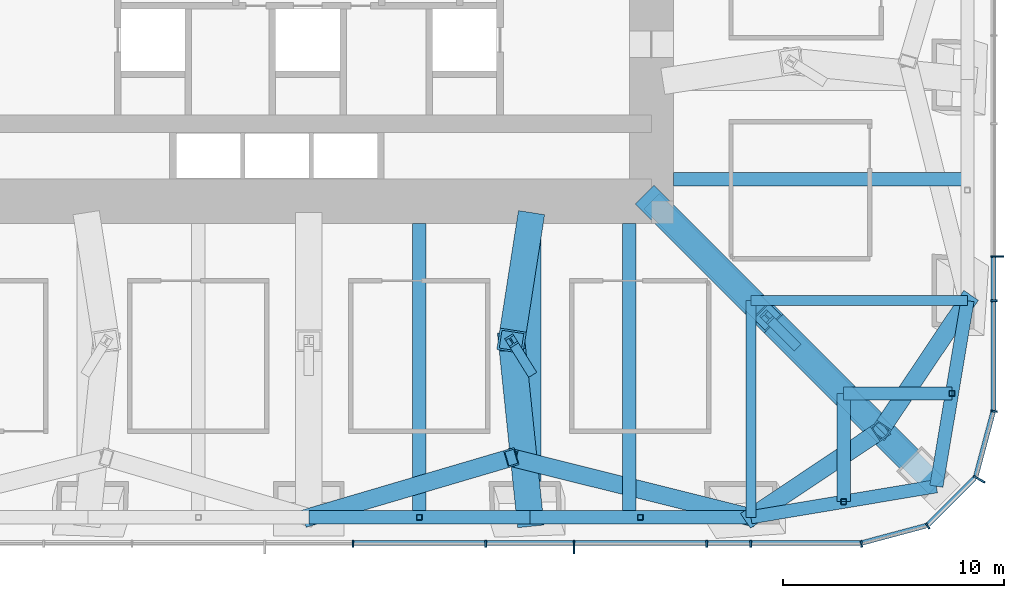
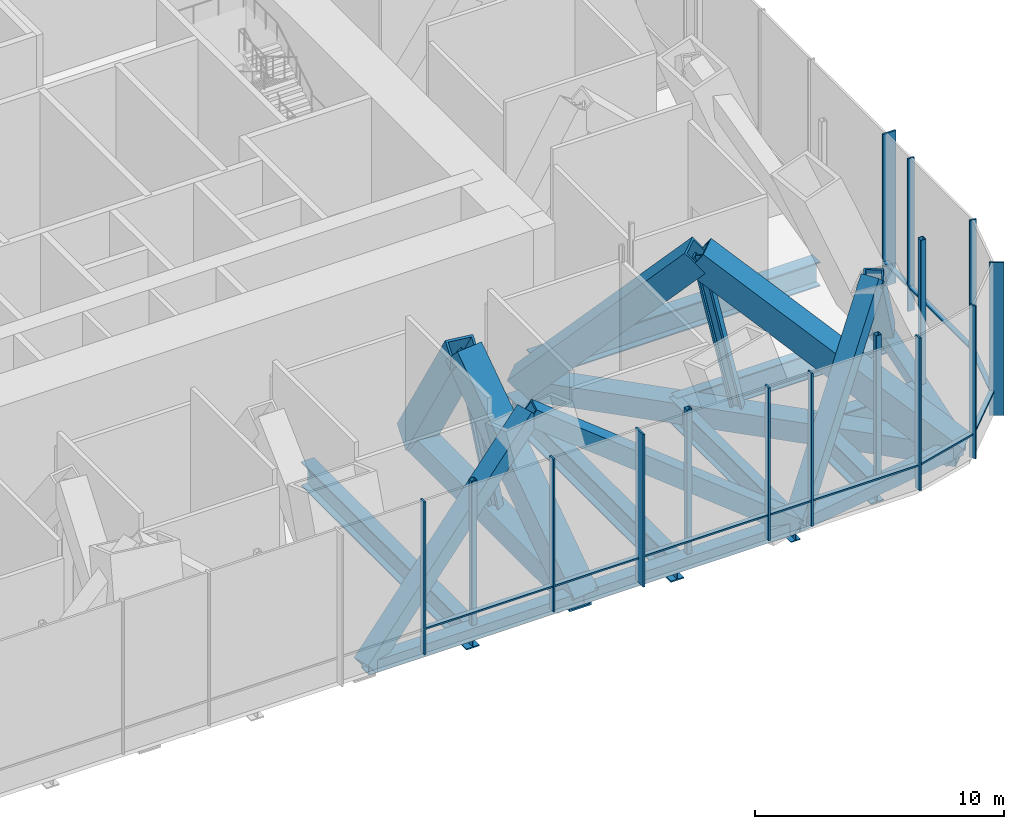
# One storey, part 4 of 20: 41 members, 7 beams, 3 elements without a shape of their own.
"""IFC4 building model written with IfcOpenShell, lengths in metres."""

from ifc_helpers import new_model, si_unit, direction, frame, origin, origin_2d, place, context, subcontext, project, spatial, rectangle, hollow_rectangle, i_section, extrude, material, material_profile, profile_set, type_object, element, aggregate, save


model = new_model("IFC4")

# Units and contexts
model_context = context("Model", 3, precision=1e-05, world=origin(), true_north=direction((0.0, 1.0)))
body_context = subcontext(model_context, "Body", "Model", "MODEL_VIEW")
ifc_project = project(units=[si_unit("LENGTHUNIT", "METRE"), si_unit("AREAUNIT", "SQUARE_METRE"), si_unit("VOLUMEUNIT", "CUBIC_METRE"), si_unit("PLANEANGLEUNIT", "RADIAN"), si_unit("MASSUNIT", "GRAM", prefix="KILO")], contexts=[model_context])

# Site, building, storey
site_placement = place(None, origin())
site = spatial("IfcSite", under=ifc_project, at=site_placement, CompositionType="ELEMENT")
building_placement = place(site_placement, origin())
building = spatial("IfcBuilding", under=site, at=building_placement, Name="Khuree Lantern Residences", CompositionType="ELEMENT")
storey_placement = place(building_placement, frame((0.0, 0.0, 99.75)))
storey = spatial("IfcBuildingStorey", under=building, at=storey_placement, Name="L25", CompositionType="ELEMENT", Elevation=99.75)

# Beams
ifc_material_1 = material(Name="Steel S355", Category="steel")
ifc_material_profile_1 = material_profile(ifc_material_1, i_section(OverallWidth=0.60009765625, OverallDepth=1.199951171875, WebThickness=0.030029296875, FlangeThickness=0.06005859375, at=origin_2d()), Name="WELDED I 1200X600X30X60")
ifc_profile_set_1 = profile_set([ifc_material_profile_1], Name="Steel S355")
beam_type_1 = type_object("IfcBeamType", Name="B-25 SECONDARY BEAM WELDED I 1200X600X30X60", PredefinedType="BEAM", material=ifc_profile_set_1)
beam_placement = place(storey_placement, frame((29.800048828125, -14.5, -0.949951171875), z_axis=(-1.0, 0.0, 0.0), x_axis=(0.0, -1.0, 0.0)))
element("IfcBeam", 1, at=beam_placement, inside=storey, type_object=beam_type_1, Name="Secondary beam E5", PredefinedType="BEAM", context=body_context, shape_type="SweptSolid", body=[
    extrude(i_section(OverallWidth=0.60009765625, OverallDepth=1.199951171875, WebThickness=0.030029296875, FlangeThickness=0.06005859375, at=origin_2d()), origin(), (0.0, 0.0, 1.0), 13.300048828125),
])
for number, where, z_axis, x_axis, name in (
    (2, (29.09716796875, -24.197021484375, -0.949951171875), (-1.0, 0.0, 0.0), (0.0, -1.0, 0.0), "Secondary beam E6"),
    (3, (24.197021484375, -29.09716796875, -0.949951171875), (0.0, 1.0, 0.0), (-1.0, 0.0, 0.0), "Secondary beam S1"),
):
    element("IfcBeam", number, at=place(storey_placement, frame(where, z_axis=z_axis, x_axis=x_axis)), inside=storey, type_object=beam_type_1, Name=name, PredefinedType="BEAM", context=body_context, shape_type="SweptSolid", body=[
        extrude(i_section(OverallWidth=0.60009765625, OverallDepth=1.199951171875, WebThickness=0.030029296875, FlangeThickness=0.06005859375, at=origin_2d()), origin(), (0.0, 0.0, 1.0), 4.900146484375),
    ])
for number, where, z_axis, x_axis, name in (
    (4, (14.5, -29.800048828125, -0.949951171875), (0.0, 1.0, 0.0), (-1.0, 0.0, 0.0), "Secondary beam S2"),
    (5, (5.0, -29.800048828125, -0.949951171875), (0.0, 1.0, 0.0), (-1.0, 0.0, 0.0), "Secondary beam S3"),
):
    element("IfcBeam", number, at=place(storey_placement, frame(where, z_axis=z_axis, x_axis=x_axis)), inside=storey, type_object=beam_type_1, Name=name, PredefinedType="BEAM", context=body_context, shape_type="SweptSolid", body=[
        extrude(i_section(OverallWidth=0.60009765625, OverallDepth=1.199951171875, WebThickness=0.030029296875, FlangeThickness=0.06005859375, at=origin_2d()), origin(), (0.0, 0.0, 1.0), 13.300048828125),
    ])

# Members
ifc_material_profile_2 = material_profile(ifc_material_1, hollow_rectangle(XDim=0.800048828125, YDim=0.800048828125, WallThickness=0.070068359375, at=origin_2d()), Name="WELDED BOX 800X800X70")
ifc_profile_set_2 = profile_set([ifc_material_profile_2], Name="Steel S355")
member_type_1 = type_object("IfcMemberType", Name="BD-25 BELT TRUSS DIAGONAL WELDED BOX 800X800X70", PredefinedType="BRACE", material=ifc_profile_set_2)
for number, where, z_axis, x_axis, name in (
    (6, (29.800048828125, -20.0, -0.64990234375), (-0.378778977196, -0.565721390777, 0.732451905897), (0.830942698476, -0.556358006907, 0.0), "Belt truss diagonal E6"),
    (7, (25.869873046875, -25.869873046875, 6.949951171875), (-0.565721390777, -0.378778977196, -0.732451905897), (0.556358006907, -0.830942698476, 0.0), "Belt truss diagonal S1"),
):
    element("IfcMember", number, at=place(storey_placement, frame(where, z_axis=z_axis, x_axis=x_axis)), inside=storey, type_object=member_type_1, Name=name, PredefinedType="BRACE", context=body_context, shape_type="SweptSolid", body=[
        extrude(hollow_rectangle(XDim=0.800048828125, YDim=0.800048828125, WallThickness=0.070068359375, at=origin_2d()), origin(), (0.0, 0.0, 1.0), 10.3759765625),
    ])
member_1_placement = place(storey_placement, frame((20.0, -29.800048828125, -0.64990234375), z_axis=(-0.802298387089, 0.199829234991, 0.562481621849), x_axis=(-0.241687069936, -0.970354244709, 0.0)))
element("IfcMember", 8, at=member_1_placement, inside=storey, type_object=member_type_1, Name="Belt truss diagonal S2", PredefinedType="BRACE", context=body_context, shape_type="SweptSolid", body=[
    extrude(hollow_rectangle(XDim=0.800048828125, YDim=0.800048828125, WallThickness=0.070068359375, at=origin_2d()), origin(), (0.0, 0.0, 1.0), 13.51123046875),
])
member_2_placement = place(storey_placement, frame((9.159912109375, -27.10009765625, 6.949951171875), z_axis=(-0.750531400006, -0.22122462626, -0.622705614509), x_axis=(0.282731000098, -0.959199239774, 0.0)))
element("IfcMember", 9, at=member_2_placement, inside=storey, type_object=member_type_1, Name="Belt truss diagonal S3", PredefinedType="BRACE", context=body_context, shape_type="SweptSolid", body=[
    extrude(hollow_rectangle(XDim=0.800048828125, YDim=0.800048828125, WallThickness=0.070068359375, at=origin_2d()), origin(), (0.0, 0.0, 1.0), 12.20458984375),
])
ifc_material_profile_3 = material_profile(ifc_material_1, hollow_rectangle(XDim=0.60009765625, YDim=0.60009765625, WallThickness=0.050048828125, at=origin_2d()), Name="WELDED BOX 600X600X50")
ifc_profile_set_3 = profile_set([ifc_material_profile_3], Name="Steel S355")
member_type_2 = type_object("IfcMemberType", Name="BT-25 BELT TRUSS CHORD WELDED BOX 600X600X50", PredefinedType="CHORD", material=ifc_profile_set_3)
for number, where, z_axis, x_axis, name in (
    (10, (29.800048828125, -20.0, -0.64990234375), (-0.165199022349, -0.986260251158, 0.0), (0.986260251158, -0.165199022349, 0.0), "Belt truss chord E6"),
    (11, (28.39404296875, -28.39404296875, -0.64990234375), (-0.986260251158, -0.165199022349, 0.0), (0.165199022349, -0.986260251158, 0.0), "Belt truss chord S1"),
):
    element("IfcMember", number, at=place(storey_placement, frame(where, z_axis=z_axis, x_axis=x_axis)), inside=storey, type_object=member_type_2, Name=name, PredefinedType="CHORD", context=body_context, shape_type="SweptSolid", body=[
        extrude(hollow_rectangle(XDim=0.60009765625, YDim=0.60009765625, WallThickness=0.050048828125, at=origin_2d()), origin(), (0.0, 0.0, 1.0), 8.510986328125),
    ])
for number, where, z_axis, x_axis, name in (
    (12, (20.0, -29.800048828125, -0.64990234375), (-1.0, 0.0, 0.0), (0.0, -1.0, 0.0), "Belt truss chord S2"),
    (13, (10.0, -29.800048828125, -0.64990234375), (-1.0, 0.0, 0.0), (0.0, -1.0, 0.0), "Belt truss chord S3"),
):
    element("IfcMember", number, at=place(storey_placement, frame(where, z_axis=z_axis, x_axis=x_axis)), inside=storey, type_object=member_type_2, Name=name, PredefinedType="CHORD", context=body_context, shape_type="SweptSolid", body=[
        extrude(hollow_rectangle(XDim=0.60009765625, YDim=0.60009765625, WallThickness=0.050048828125, at=origin_2d()), origin(), (0.0, 0.0, 1.0), 10.0),
    ])

# Curtain wall, member
ifc_material_2 = material(Name="Bronze anodised aluminium", Category="aluminium")
curtain_wall_type = type_object("IfcCurtainWallType", Name="CW-G PLANT STOREY LOUVRED CURTAIN WALL", PredefinedType="USERDEFINED", material=ifc_material_2)
curtain_wall_1_placement = place(storey_placement, origin())
curtain_wall_1 = element("IfcCurtainWall", 14, at=curtain_wall_1_placement, inside=storey, type_object=curtain_wall_type, Name="L25 SOUTH-EAST CORNER CURTAIN WALL", ObjectType="Louvred curtain wall", PredefinedType="USERDEFINED")
ifc_material_profile_4 = material_profile(ifc_material_2, rectangle(XDim=0.080078125, YDim=0.60009765625, at=origin_2d()), Name="F2 80X600")
ifc_profile_set_4 = profile_set([ifc_material_profile_4], Name="Bronze anodised aluminium")
member_type_3 = type_object("IfcMemberType", Name="F2 BRONZE FIN MULLION PLANT 80X600", PredefinedType="MULLION", material=ifc_profile_set_4)
member_3_placement = place(storey_placement, frame((30.326171875, -28.074951171875, 0.0), z_axis=(0.0, 0.0, 1.0), x_axis=(0.500000056923, 0.86602537092, 0.0)))
member_3 = element("IfcMember", 15, at=member_3_placement, type_object=member_type_3, Name="L25 SOUTH-EAST CORNER FIN MULLION 3", PredefinedType="MULLION", context=body_context, shape_type="SweptSolid", body=[
    extrude(rectangle(XDim=0.080078125, YDim=0.60009765625, at=origin_2d()), origin(), (0.0, 0.0, 1.0), 7.5),
])

curtain_wall_2_placement = place(storey_placement, origin())
curtain_wall_2 = element("IfcCurtainWall", 16, at=curtain_wall_2_placement, inside=storey, type_object=curtain_wall_type, Name="L25 EAST FACE CURTAIN WALL", ObjectType="Louvred curtain wall", PredefinedType="USERDEFINED")
member_4_placement = place(storey_placement, frame((31.14990234375, -18.0, 0.0), z_axis=(0.0, 0.0, 1.0), x_axis=(0.0, 1.0, 0.0)))
member_4 = element("IfcMember", 17, at=member_4_placement, type_object=member_type_3, Name="L25 EAST FACE FIN MULLION 6", PredefinedType="MULLION", context=body_context, shape_type="SweptSolid", body=[
    extrude(rectangle(XDim=0.080078125, YDim=0.60009765625, at=origin_2d()), origin(), (0.0, 0.0, 1.0), 7.5),
])

curtain_wall_3_placement = place(storey_placement, origin())
curtain_wall_3 = element("IfcCurtainWall", 18, at=curtain_wall_3_placement, inside=storey, type_object=curtain_wall_type, Name="L25 SOUTH FACE CURTAIN WALL", ObjectType="Louvred curtain wall", PredefinedType="USERDEFINED")
member_5_placement = place(storey_placement, frame((12.0, -31.14990234375, 0.0), z_axis=(0.0, 0.0, 1.0), x_axis=(1.0, 0.0, 0.0)))
member_5 = element("IfcMember", 19, at=member_5_placement, type_object=member_type_3, Name="L25 SOUTH FACE FIN MULLION 54", PredefinedType="MULLION", context=body_context, shape_type="SweptSolid", body=[
    extrude(rectangle(XDim=0.080078125, YDim=0.60009765625, at=origin_2d()), origin(), (0.0, 0.0, 1.0), 7.5),
])

# Beams
ifc_material_profile_5 = material_profile(ifc_material_1, i_section(OverallWidth=0.449951171875, OverallDepth=1.199951171875, WebThickness=0.02490234375, FlangeThickness=0.044921875, at=origin_2d()), Name="WELDED I 1200X450X25X45")
ifc_profile_set_5 = profile_set([ifc_material_profile_5], Name="Steel S355")
beam_type_2 = type_object("IfcBeamType", Name="G-25 GIRDER WELDED I 1200X450X25X45", PredefinedType="BEAM", material=ifc_profile_set_5)
for number, where, z_axis, x_axis, name in (
    (20, (29.800048828125, -20.0, -0.949951171875), (-1.0, 0.0, 0.0), (0.0, -1.0, 0.0), "Girder E5"),
    (21, (20.0, -29.800048828125, -0.949951171875), (0.0, 1.0, 0.0), (-1.0, 0.0, 0.0), "Girder S1"),
):
    element("IfcBeam", number, at=place(storey_placement, frame(where, z_axis=z_axis, x_axis=x_axis)), inside=storey, type_object=beam_type_2, Name=name, PredefinedType="BEAM", context=body_context, shape_type="SweptSolid", body=[
        extrude(i_section(OverallWidth=0.449951171875, OverallDepth=1.199951171875, WebThickness=0.02490234375, FlangeThickness=0.044921875, at=origin_2d()), origin(), (0.0, 0.0, 1.0), 9.800048828125),
    ])

# Member
ifc_material_profile_6 = material_profile(ifc_material_2, rectangle(XDim=0.080078125, YDim=0.300048828125, at=origin_2d()), Name="M2 80X300")
ifc_profile_set_6 = profile_set([ifc_material_profile_6], Name="Bronze anodised aluminium")
member_type_4 = type_object("IfcMemberType", Name="MULLION M2 PLANT 80X300", PredefinedType="MULLION", material=ifc_profile_set_6)
member_6_placement = place(storey_placement, frame((25.000244140625, -31.00146484375, 0.0), z_axis=(0.0, 0.0, 1.0), x_axis=(0.991444852794, 0.130526257387, 0.0)))
member_6 = element("IfcMember", 22, at=member_6_placement, type_object=member_type_4, Name="L25 SOUTH-EAST CORNER MULLION 1", PredefinedType="MULLION", context=body_context, shape_type="SweptSolid", body=[
    extrude(rectangle(XDim=0.080078125, YDim=0.300048828125, at=origin_2d()), origin(), (0.0, 0.0, 1.0), 7.5),
])

member_7_placement = place(storey_placement, frame((28.0, -30.196044921875, 0.0), z_axis=(0.0, 0.0, 1.0), x_axis=(0.86602537092, 0.500000056923, 0.0)))
member_7 = element("IfcMember", 23, at=member_7_placement, type_object=member_type_4, Name="L25 SOUTH-EAST CORNER MULLION 2", PredefinedType="MULLION", context=body_context, shape_type="SweptSolid", body=[
    extrude(rectangle(XDim=0.080078125, YDim=0.300048828125, at=origin_2d()), origin(), (0.0, 0.0, 1.0), 7.5),
])

member_8_placement = place(storey_placement, frame((31.00146484375, -25.000244140625, 0.0), z_axis=(0.0, 0.0, 1.0), x_axis=(0.130526257387, 0.991444852794, 0.0)))
member_8 = element("IfcMember", 24, at=member_8_placement, type_object=member_type_4, Name="L25 EAST FACE MULLION 4", PredefinedType="MULLION", context=body_context, shape_type="SweptSolid", body=[
    extrude(rectangle(XDim=0.080078125, YDim=0.300048828125, at=origin_2d()), origin(), (0.0, 0.0, 1.0), 7.5),
])

member_9_placement = place(storey_placement, frame((31.0, -20.0, 0.0), z_axis=(0.0, 0.0, 1.0), x_axis=(0.0, 1.0, 0.0)))
member_9 = element("IfcMember", 25, at=member_9_placement, type_object=member_type_4, Name="L25 EAST FACE MULLION 5", PredefinedType="MULLION", context=body_context, shape_type="SweptSolid", body=[
    extrude(rectangle(XDim=0.080078125, YDim=0.300048828125, at=origin_2d()), origin(), (0.0, 0.0, 1.0), 7.5),
])

member_10_placement = place(storey_placement, frame((2.0, -31.0, 0.0), z_axis=(0.0, 0.0, 1.0), x_axis=(1.0, 0.0, 0.0)))
member_10 = element("IfcMember", 26, at=member_10_placement, type_object=member_type_4, Name="L25 SOUTH FACE MULLION 52", PredefinedType="MULLION", context=body_context, shape_type="SweptSolid", body=[
    extrude(rectangle(XDim=0.080078125, YDim=0.300048828125, at=origin_2d()), origin(), (0.0, 0.0, 1.0), 7.5),
])

member_11_placement = place(storey_placement, frame((8.0, -31.0, 0.0), z_axis=(0.0, 0.0, 1.0), x_axis=(1.0, 0.0, 0.0)))
member_11 = element("IfcMember", 27, at=member_11_placement, type_object=member_type_4, Name="L25 SOUTH FACE MULLION 53", PredefinedType="MULLION", context=body_context, shape_type="SweptSolid", body=[
    extrude(rectangle(XDim=0.080078125, YDim=0.300048828125, at=origin_2d()), origin(), (0.0, 0.0, 1.0), 7.5),
])

member_12_placement = place(storey_placement, frame((18.0, -31.0, 0.0), z_axis=(0.0, 0.0, 1.0), x_axis=(1.0, 0.0, 0.0)))
member_12 = element("IfcMember", 28, at=member_12_placement, type_object=member_type_4, Name="L25 SOUTH FACE MULLION 55", PredefinedType="MULLION", context=body_context, shape_type="SweptSolid", body=[
    extrude(rectangle(XDim=0.080078125, YDim=0.300048828125, at=origin_2d()), origin(), (0.0, 0.0, 1.0), 7.5),
])

member_13_placement = place(storey_placement, frame((20.0, -31.0, 0.0), z_axis=(0.0, 0.0, 1.0), x_axis=(1.0, 0.0, 0.0)))
member_13 = element("IfcMember", 29, at=member_13_placement, type_object=member_type_4, Name="L25 SOUTH FACE MULLION 56", PredefinedType="MULLION", context=body_context, shape_type="SweptSolid", body=[
    extrude(rectangle(XDim=0.080078125, YDim=0.300048828125, at=origin_2d()), origin(), (0.0, 0.0, 1.0), 7.5),
])

# Members
ifc_material_profile_7 = material_profile(ifc_material_1, hollow_rectangle(XDim=1.199951171875, YDim=1.199951171875, WallThickness=0.10009765625, at=origin_2d()), Name="WELDED BOX 1200X1200X100")
ifc_profile_set_7 = profile_set([ifc_material_profile_7], Name="Steel S355")
member_type_5 = type_object("IfcMemberType", Name="OD-25 OUTRIGGER TRUSS DIAGONAL WELDED BOX 1200X1200X100", PredefinedType="BRACE", material=ifc_profile_set_7)
member_14_placement = place(storey_placement, frame((15.5, -15.5, -0.85009765625), z_axis=(0.493384393835, -0.493384393835, 0.716340477594), x_axis=(0.707106781187, 0.707106781187, 0.0)))
element("IfcMember", 30, at=member_14_placement, inside=storey, type_object=member_type_5, Name="Outrigger diagonal SE core side", PredefinedType="BRACE", context=body_context, shape_type="SweptSolid", body=[
    extrude(hollow_rectangle(XDim=1.199951171875, YDim=1.199951171875, WallThickness=0.10009765625, at=origin_2d()), origin(), (0.0, 0.0, 1.0), 10.609619140625),
])
member_15_placement = place(storey_placement, frame((20.734619140625, -20.734619140625, 6.75), z_axis=(0.578840874026, -0.578840874026, -0.57435745413), x_axis=(0.707106781187, 0.707106781187, 0.0)))
element("IfcMember", 31, at=member_15_placement, inside=storey, type_object=member_type_5, Name="Outrigger diagonal SE column side", PredefinedType="BRACE", context=body_context, shape_type="SweptSolid", body=[
    extrude(hollow_rectangle(XDim=1.199951171875, YDim=1.199951171875, WallThickness=0.10009765625, at=origin_2d()), origin(), (0.0, 0.0, 1.0), 13.232421875),
])
member_16_placement = place(storey_placement, frame((10.0, -16.5, -0.85009765625), z_axis=(-0.089001957603, -0.571028170987, 0.81609158768), x_axis=(0.988070340998, -0.154003250743, 0.0)))
element("IfcMember", 32, at=member_16_placement, inside=storey, type_object=member_type_5, Name="Outrigger diagonal S2 core side", PredefinedType="BRACE", context=body_context, shape_type="SweptSolid", body=[
    extrude(hollow_rectangle(XDim=1.199951171875, YDim=1.199951171875, WallThickness=0.10009765625, at=origin_2d()), origin(), (0.0, 0.0, 1.0), 9.312744140625),
])
member_17_placement = place(storey_placement, frame((9.171142578125, -21.81787109375, 6.75), z_axis=(0.074990945606, -0.722188208122, -0.687619480619), x_axis=(0.994651991951, 0.103283178244, 0.0)))
element("IfcMember", 33, at=member_17_placement, inside=storey, type_object=member_type_5, Name="Outrigger diagonal S2 column side", PredefinedType="BRACE", context=body_context, shape_type="SweptSolid", body=[
    extrude(hollow_rectangle(XDim=1.199951171875, YDim=1.199951171875, WallThickness=0.10009765625, at=origin_2d()), origin(), (0.0, 0.0, 1.0), 11.052734375),
])
ifc_material_profile_8 = material_profile(ifc_material_1, i_section(OverallWidth=0.431884765625, OverallDepth=0.498046875, WebThickness=0.0556640625, FlangeThickness=0.0888671875, FilletRadius=0.014892578125, at=origin_2d()), Name="HD 400X744")
ifc_profile_set_8 = profile_set([ifc_material_profile_8], Name="Steel S355")
member_type_6 = type_object("IfcMemberType", Name="OP-25 OUTRIGGER TRUSS POST HD 400X744", PredefinedType="POST", material=ifc_profile_set_8)
member_18_placement = place(storey_placement, frame((21.947021484375, -21.947021484375, -0.85009765625), z_axis=(-0.155613649455, 0.155613649455, 0.975483871833), x_axis=(-0.707106781187, -0.707106781187, 0.0)))
element("IfcMember", 34, at=member_18_placement, inside=storey, type_object=member_type_6, Name="Outrigger post SE", PredefinedType="POST", context=body_context, shape_type="SweptSolid", body=[
    extrude(i_section(OverallWidth=0.431884765625, OverallDepth=0.498046875, WebThickness=0.0556640625, FlangeThickness=0.0888671875, FilletRadius=0.014892578125, at=origin_2d()), origin(), (0.0, 0.0, 1.0), 7.791015625),
])
member_19_placement = place(storey_placement, frame((10.0, -23.14990234375, -0.85009765625), z_axis=(-0.106806915278, 0.171646105966, 0.979351773958), x_axis=(-0.849045745314, -0.528319337489, 0.0)))
element("IfcMember", 35, at=member_19_placement, inside=storey, type_object=member_type_6, Name="Outrigger post S2", PredefinedType="POST", context=body_context, shape_type="SweptSolid", body=[
    extrude(i_section(OverallWidth=0.431884765625, OverallDepth=0.498046875, WebThickness=0.0556640625, FlangeThickness=0.0888671875, FilletRadius=0.014892578125, at=origin_2d()), origin(), (0.0, 0.0, 1.0), 7.76025390625),
])
ifc_material_profile_9 = material_profile(ifc_material_1, hollow_rectangle(XDim=1.0, YDim=1.0, WallThickness=0.080078125, at=origin_2d()), Name="WELDED BOX 1000X1000X80")
ifc_profile_set_9 = profile_set([ifc_material_profile_9], Name="Steel S355")
member_type_7 = type_object("IfcMemberType", Name="OT-25 OUTRIGGER TRUSS CHORD WELDED BOX 1000X1000X80", PredefinedType="CHORD", material=ifc_profile_set_9)
member_20_placement = place(storey_placement, frame((10.0, -29.800048828125, -0.85009765625), z_axis=(0.0, 1.0, 0.0), x_axis=(-1.0, 0.0, 0.0)))
element("IfcMember", 36, at=member_20_placement, inside=storey, type_object=member_type_7, Name="Outrigger chord S2", PredefinedType="CHORD", context=body_context, shape_type="SweptSolid", body=[
    extrude(hollow_rectangle(XDim=1.0, YDim=1.0, WallThickness=0.080078125, at=origin_2d()), origin(), (0.0, 0.0, 1.0), 13.300048828125),
])
member_21_placement = place(storey_placement, frame((28.39404296875, -28.39404296875, -0.85009765625), z_axis=(-0.707106781187, 0.707106781187, 0.0), x_axis=(-0.707106781187, -0.707106781187, 0.0)))
element("IfcMember", 37, at=member_21_placement, inside=storey, type_object=member_type_7, Name="Outrigger chord SE", PredefinedType="CHORD", context=body_context, shape_type="SweptSolid", body=[
    extrude(hollow_rectangle(XDim=1.0, YDim=1.0, WallThickness=0.080078125, at=origin_2d()), origin(), (0.0, 0.0, 1.0), 18.23486328125),
])
ifc_material_profile_10 = material_profile(ifc_material_1, hollow_rectangle(XDim=0.25, YDim=0.25, WallThickness=0.012451171875, InnerFilletRadius=0.012451171875, OuterFilletRadius=0.018798828125, at=origin_2d()), Name="SHS 250X250X12.5")
ifc_profile_set_10 = profile_set([ifc_material_profile_10], Name="Steel S355")
member_type_8 = type_object("IfcMemberType", Name="TP1 TERRACE POST SHS 250X250X12.5", PredefinedType="POST", material=ifc_profile_set_10)
for number, where, z_axis, x_axis, name in (
    (38, (29.09716796875, -24.197021484375, -0.35009765625), (0.0, 0.0, 1.0), (1.0, 0.0, 0.0), "Terrace post E6"),
    (39, (24.197021484375, -29.09716796875, -0.35009765625), (0.0, 0.0, 1.0), (1.0, 0.0, 0.0), "Terrace post S1"),
    (40, (15.0, -29.800048828125, -0.35009765625), (0.0, 0.0, 1.0), (1.0, 0.0, 0.0), "Terrace post S2"),
    (41, (5.0, -29.800048828125, -0.35009765625), (0.0, 0.0, 1.0), (1.0, 0.0, 0.0), "Terrace post S3"),
):
    element("IfcMember", number, at=place(storey_placement, frame(where, z_axis=z_axis, x_axis=x_axis)), inside=storey, type_object=member_type_8, Name=name, PredefinedType="POST", context=body_context, shape_type="SweptSolid", body=[
        extrude(hollow_rectangle(XDim=0.25, YDim=0.25, WallThickness=0.012451171875, InnerFilletRadius=0.012451171875, OuterFilletRadius=0.018798828125, at=origin_2d()), origin(), (0.0, 0.0, 1.0), 7.10009765625),
    ])

# Member
ifc_material_profile_11 = material_profile(ifc_material_2, rectangle(XDim=0.219970703125, YDim=0.080078125, at=origin_2d()), Name="T2 220X80")
ifc_profile_set_11 = profile_set([ifc_material_profile_11], Name="Bronze anodised aluminium")
member_type_9 = type_object("IfcMemberType", Name="TRANSOM T2 PLANT 220X80", PredefinedType="USERDEFINED", material=ifc_profile_set_11)
member_22_placement = place(storey_placement, frame((25.049072265625, -30.955810546875, 1.199951171875), z_axis=(0.965928602217, 0.258808684976, 0.0), x_axis=(-0.258808684976, 0.965928602217, 0.0)))
member_22 = element("IfcMember", 42, at=member_22_placement, type_object=member_type_9, Name="L25 SOUTH-EAST CORNER TRANSOM 1.1", ObjectType="Transom", PredefinedType="USERDEFINED", context=body_context, shape_type="SweptSolid", body=[
    extrude(rectangle(XDim=0.219970703125, YDim=0.080078125, at=origin_2d()), origin(), (0.0, 0.0, 1.0), 2.969482421875),
])

member_23_placement = place(storey_placement, frame((28.033447265625, -30.1201171875, 1.199951171875), z_axis=(0.707106781187, 0.707106781187, 0.0), x_axis=(-0.707106781187, 0.707106781187, 0.0)))
member_23 = element("IfcMember", 43, at=member_23_placement, type_object=member_type_9, Name="L25 SOUTH-EAST CORNER TRANSOM 2.1", ObjectType="Transom", PredefinedType="USERDEFINED", context=body_context, shape_type="SweptSolid", body=[
    extrude(rectangle(XDim=0.219970703125, YDim=0.080078125, at=origin_2d()), origin(), (0.0, 0.0, 1.0), 2.950927734375),
])

member_24_placement = place(storey_placement, frame((30.187255859375, -27.91748046875, 1.199951171875), z_axis=(0.258808684976, 0.965928602217, 0.0), x_axis=(-0.965928602217, 0.258808684976, 0.0)))
member_24 = element("IfcMember", 44, at=member_24_placement, type_object=member_type_9, Name="L25 SOUTH-EAST CORNER TRANSOM 3.1", ObjectType="Transom", PredefinedType="USERDEFINED", context=body_context, shape_type="SweptSolid", body=[
    extrude(rectangle(XDim=0.219970703125, YDim=0.080078125, at=origin_2d()), origin(), (0.0, 0.0, 1.0), 2.969482421875),
])

aggregate(curtain_wall_1, [member_6, member_7, member_3, member_22, member_23, member_24])

member_25_placement = place(storey_placement, frame((30.969970703125, -24.941162109375, 1.199951171875), z_axis=(0.0, 1.0, 0.0), x_axis=(-1.0, 0.0, 0.0)))
member_25 = element("IfcMember", 45, at=member_25_placement, type_object=member_type_9, Name="L25 EAST FACE TRANSOM 4.1", ObjectType="Transom", PredefinedType="USERDEFINED", context=body_context, shape_type="SweptSolid", body=[
    extrude(rectangle(XDim=0.219970703125, YDim=0.080078125, at=origin_2d()), origin(), (0.0, 0.0, 1.0), 4.901123046875),
])

member_26_placement = place(storey_placement, frame((30.969970703125, -19.9599609375, 1.199951171875), z_axis=(0.0, 1.0, 0.0), x_axis=(-1.0, 0.0, 0.0)))
member_26 = element("IfcMember", 46, at=member_26_placement, type_object=member_type_9, Name="L25 EAST FACE TRANSOM 5.1", ObjectType="Transom", PredefinedType="USERDEFINED", context=body_context, shape_type="SweptSolid", body=[
    extrude(rectangle(XDim=0.219970703125, YDim=0.080078125, at=origin_2d()), origin(), (0.0, 0.0, 1.0), 1.919921875),
])

aggregate(curtain_wall_2, [member_8, member_9, member_4, member_25, member_26])

member_27_placement = place(storey_placement, frame((2.0400390625, -30.969970703125, 1.199951171875), z_axis=(1.0, 0.0, 0.0), x_axis=(0.0, 1.0, 0.0)))
member_27 = element("IfcMember", 47, at=member_27_placement, type_object=member_type_9, Name="L25 SOUTH FACE TRANSOM 52.1", ObjectType="Transom", PredefinedType="USERDEFINED", context=body_context, shape_type="SweptSolid", body=[
    extrude(rectangle(XDim=0.219970703125, YDim=0.080078125, at=origin_2d()), origin(), (0.0, 0.0, 1.0), 5.919921875),
])

member_28_placement = place(storey_placement, frame((8.0400390625, -30.969970703125, 1.199951171875), z_axis=(1.0, 0.0, 0.0), x_axis=(0.0, 1.0, 0.0)))
member_28 = element("IfcMember", 48, at=member_28_placement, type_object=member_type_9, Name="L25 SOUTH FACE TRANSOM 53.1", ObjectType="Transom", PredefinedType="USERDEFINED", context=body_context, shape_type="SweptSolid", body=[
    extrude(rectangle(XDim=0.219970703125, YDim=0.080078125, at=origin_2d()), origin(), (0.0, 0.0, 1.0), 3.919921875),
])

member_29_placement = place(storey_placement, frame((12.0400390625, -30.969970703125, 1.199951171875), z_axis=(1.0, 0.0, 0.0), x_axis=(0.0, 1.0, 0.0)))
member_29 = element("IfcMember", 49, at=member_29_placement, type_object=member_type_9, Name="L25 SOUTH FACE TRANSOM 54.1", ObjectType="Transom", PredefinedType="USERDEFINED", context=body_context, shape_type="SweptSolid", body=[
    extrude(rectangle(XDim=0.219970703125, YDim=0.080078125, at=origin_2d()), origin(), (0.0, 0.0, 1.0), 5.919921875),
])

member_30_placement = place(storey_placement, frame((18.0400390625, -30.969970703125, 1.199951171875), z_axis=(1.0, 0.0, 0.0), x_axis=(0.0, 1.0, 0.0)))
member_30 = element("IfcMember", 50, at=member_30_placement, type_object=member_type_9, Name="L25 SOUTH FACE TRANSOM 55.1", ObjectType="Transom", PredefinedType="USERDEFINED", context=body_context, shape_type="SweptSolid", body=[
    extrude(rectangle(XDim=0.219970703125, YDim=0.080078125, at=origin_2d()), origin(), (0.0, 0.0, 1.0), 1.919921875),
])

member_31_placement = place(storey_placement, frame((20.0400390625, -30.969970703125, 1.199951171875), z_axis=(1.0, 0.0, 0.0), x_axis=(0.0, 1.0, 0.0)))
member_31 = element("IfcMember", 51, at=member_31_placement, type_object=member_type_9, Name="L25 SOUTH FACE TRANSOM 56.1", ObjectType="Transom", PredefinedType="USERDEFINED", context=body_context, shape_type="SweptSolid", body=[
    extrude(rectangle(XDim=0.219970703125, YDim=0.080078125, at=origin_2d()), origin(), (0.0, 0.0, 1.0), 4.901123046875),
])

aggregate(curtain_wall_3, [member_10, member_11, member_5, member_12, member_13, member_27, member_28, member_29, member_30, member_31])

save(model, "model.ifc")
